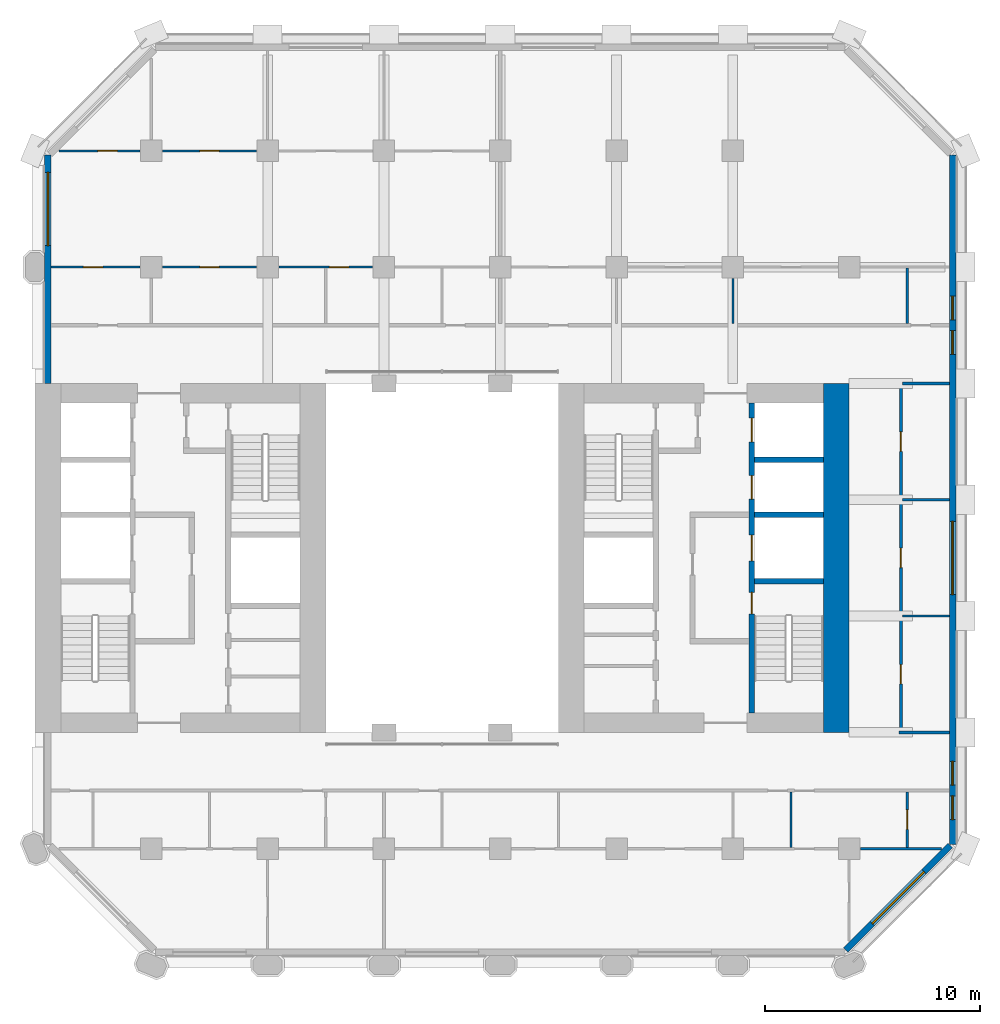
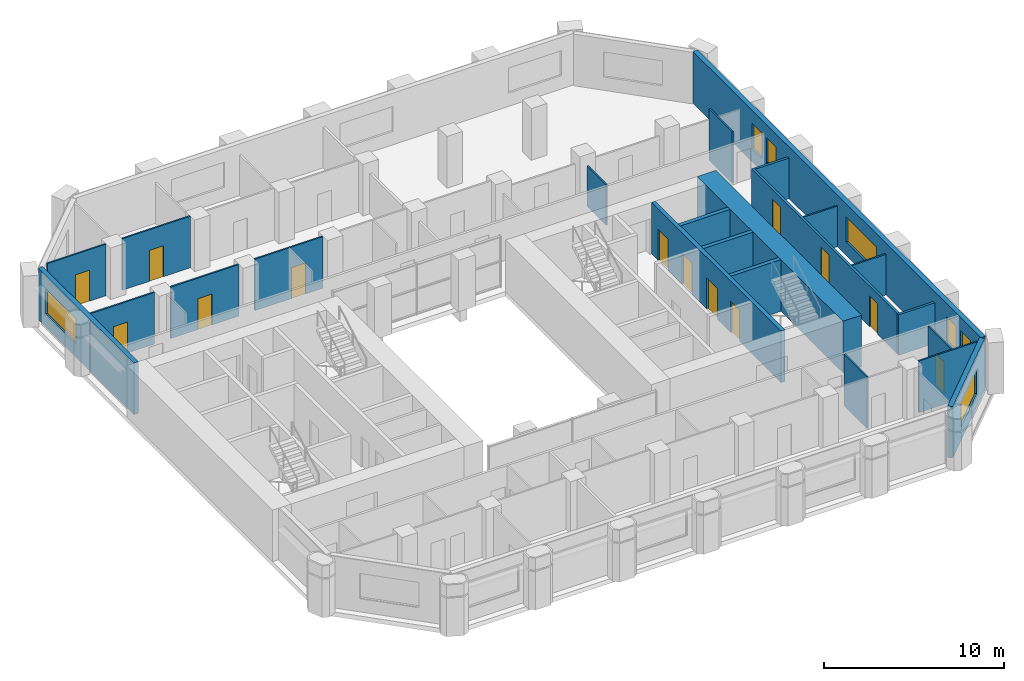
# One storey, part 6 of 10: 23 walls, 13 doors, 7 windows, 20 openings.
"""IFC4 building model written with IfcOpenShell, lengths in metres."""

from ifc_helpers import new_model, si_unit, direction, frame, frame_2d, origin, place, context, subcontext, project, spatial, rectangle, extrude, material, layer, layer_set, type_object, element, fill, save


model = new_model("IFC4")

# Units and contexts
model_context = context("Model", 3, precision=1e-05, world=origin(), true_north=direction((0.0, 1.0)))
body_context = subcontext(model_context, "Body", "Model", "MODEL_VIEW")
ifc_project = project(units=[si_unit("LENGTHUNIT", "METRE"), si_unit("AREAUNIT", "SQUARE_METRE"), si_unit("VOLUMEUNIT", "CUBIC_METRE"), si_unit("PLANEANGLEUNIT", "RADIAN"), si_unit("MASSUNIT", "GRAM", prefix="KILO")], contexts=[model_context])

# Site, building, storey
site_placement = place(None, origin())
site = spatial("IfcSite", under=ifc_project, at=site_placement, CompositionType="ELEMENT")
building_placement = place(site_placement, origin())
building = spatial("IfcBuilding", under=site, at=building_placement, Name="Tabaq Tower and Sports Hall", CompositionType="ELEMENT")
storey_placement = place(building_placement, frame((0.0, 0.0, 87.800048828125)))
storey = spatial("IfcBuildingStorey", under=building, at=storey_placement, Name="L20", CompositionType="ELEMENT", Elevation=87.800048828125)

# Wall
ifc_material_1 = material(Name="Concrete C60/75", Category="concrete")
ifc_layer_1 = layer(ifc_material_1, 1.199951171875)
ifc_layer_set_1 = layer_set([ifc_layer_1], Name="Core wall 1200 Concrete C60/75")
wall_type_1 = type_object("IfcWallType", Name="Core wall 1200 Concrete C60/75", PredefinedType="SOLIDWALL", material=ifc_layer_set_1)
wall_1_placement = place(storey_placement, frame((42.60009765625, 32.39990234375, 0.0), z_axis=(0.0, 0.0, 1.0), x_axis=(0.0, -1.0, 0.0)))
element("IfcWall", 1, at=wall_1_placement, inside=storey, type_object=wall_type_1, Name="Core wall E L20", PredefinedType="SOLIDWALL", context=body_context, shape_type="SweptSolid", body=[
    extrude(rectangle(XDim=16.199951171875, YDim=1.199951171875, at=frame_2d((8.10009765625, 0.0))), origin(), (0.0, 0.0, 1.0), 3.5),
])

# Wall, opening, door
ifc_material_2 = material(Name="Gypsum board on steel studs", Category="steel")
ifc_layer_2 = layer(ifc_material_2, 0.10009765625)
ifc_layer_set_2 = layer_set([ifc_layer_2], Name="Partition 100 Gypsum board")
wall_type_2 = type_object("IfcWallType", Name="Partition 100 Gypsum board", PredefinedType="PARTITIONING", material=ifc_layer_set_2)
wall_2_placement = place(storey_placement, frame((10.280029296875, 37.800048828125, 0.0), z_axis=(0.0, 0.0, 1.0), x_axis=(-1.0, 0.0, 0.0)))
wall_2 = element("IfcWall", 2, at=wall_2_placement, inside=storey, type_object=wall_type_2, Name="Partition wall L20", PredefinedType="PARTITIONING", context=body_context, shape_type="SweptSolid", body=[
    extrude(rectangle(XDim=4.129150390625, YDim=0.10009765625, at=frame_2d((2.064453125, 0.0))), origin(), (0.0, 0.0, 1.0), 3.5),
])
opening_1_placement = place(wall_2_placement, frame((1.72998046875, 0.0, 0.0)))
opening_1 = element("IfcOpeningElement", 3, at=opening_1_placement, cuts=wall_2, Name="Opening L20-026", PredefinedType="OPENING", context=body_context, shape_type="SweptSolid", body=[
    extrude(rectangle(XDim=0.89990234375, YDim=2.10009765625, at=frame_2d((0.449951171875, 1.050048828125))), frame((0.0, 0.050048828125, 0.0), z_axis=(0.0, -1.0, 0.0), x_axis=(1.0, 0.0, 0.0)), (0.0, 0.0, 1.0), 0.10009765625),
])
ifc_material_3 = material(Name="Timber leaf in steel frame", Category="steel")
door_type_1 = type_object("IfcDoorType", Name="Internal door 900 left hand", OperationType="SINGLE_SWING_LEFT", PredefinedType="DOOR", material=ifc_material_3)
door_1_placement = place(opening_1_placement, origin())
door_1 = element("IfcDoor", 4, at=door_1_placement, inside=storey, type_object=door_type_1, Name="Internal door L20-026", OperationType="SINGLE_SWING_LEFT", OverallHeight=2.10009765625, OverallWidth=0.89990234375, PredefinedType="DOOR", context=body_context, shape_type="SweptSolid", body=[
    extrude(rectangle(XDim=0.89990234375, YDim=2.10009765625, at=frame_2d((0.449951171875, 1.050048828125))), frame((0.0, 0.02490234375, 0.0), z_axis=(0.0, -1.0, 0.0), x_axis=(1.0, 0.0, 0.0)), (0.0, 0.0, 1.0), 0.050048828125),
])
fill(opening_1, door_1)

wall_3_placement = place(storey_placement, frame((15.679931640625, 37.800048828125, 0.0), z_axis=(0.0, 0.0, 1.0), x_axis=(-1.0, 0.0, 0.0)))
wall_3 = element("IfcWall", 5, at=wall_3_placement, inside=storey, type_object=wall_type_2, Name="Partition wall L20", PredefinedType="PARTITIONING", context=body_context, shape_type="SweptSolid", body=[
    extrude(rectangle(XDim=4.35986328125, YDim=0.10009765625, at=frame_2d((2.179931640625, 0.0))), origin(), (0.0, 0.0, 1.0), 3.5),
])
opening_2_placement = place(wall_3_placement, frame((1.72998046875, 0.0, 0.0)))
opening_2 = element("IfcOpeningElement", 6, at=opening_2_placement, cuts=wall_3, Name="Opening L20-009", PredefinedType="OPENING", context=body_context, shape_type="SweptSolid", body=[
    extrude(rectangle(XDim=0.89990234375, YDim=2.10009765625, at=frame_2d((0.449951171875, 1.050048828125))), frame((0.0, 0.050048828125, 0.0), z_axis=(0.0, -1.0, 0.0), x_axis=(1.0, 0.0, 0.0)), (0.0, 0.0, 1.0), 0.10009765625),
])
ifc_material_4 = material(Name="Timber leaf in steel frame", Category="steel")
door_type_2 = type_object("IfcDoorType", Name="Internal door 900 right hand", OperationType="SINGLE_SWING_RIGHT", PredefinedType="DOOR", material=ifc_material_4)
door_2_placement = place(opening_2_placement, origin())
door_2 = element("IfcDoor", 7, at=door_2_placement, inside=storey, type_object=door_type_2, Name="Internal door L20-009", OperationType="SINGLE_SWING_RIGHT", OverallHeight=2.10009765625, OverallWidth=0.89990234375, PredefinedType="DOOR", context=body_context, shape_type="SweptSolid", body=[
    extrude(rectangle(XDim=0.89990234375, YDim=2.10009765625, at=frame_2d((0.449951171875, 1.050048828125))), frame((0.0, 0.02490234375, 0.0), z_axis=(0.0, -1.0, 0.0), x_axis=(1.0, 0.0, 0.0)), (0.0, 0.0, 1.0), 0.050048828125),
])
fill(opening_2, door_2)

wall_4_placement = place(storey_placement, frame((21.080078125, 37.800048828125, 0.0), z_axis=(0.0, 0.0, 1.0), x_axis=(-1.0, 0.0, 0.0)))
wall_4 = element("IfcWall", 8, at=wall_4_placement, inside=storey, type_object=wall_type_2, Name="Partition wall L20", PredefinedType="PARTITIONING", context=body_context, shape_type="SweptSolid", body=[
    extrude(rectangle(XDim=4.360107421875, YDim=0.10009765625, at=frame_2d((2.18017578125, 0.0))), origin(), (0.0, 0.0, 1.0), 3.5),
])
opening_3_placement = place(wall_4_placement, frame((1.110107421875, 0.0, 0.0)))
opening_3 = element("IfcOpeningElement", 9, at=opening_3_placement, cuts=wall_4, Name="Opening L20-010", PredefinedType="OPENING", context=body_context, shape_type="SweptSolid", body=[
    extrude(rectangle(XDim=0.89990234375, YDim=2.10009765625, at=frame_2d((0.449951171875, 1.050048828125))), frame((0.0, 0.050048828125, 0.0), z_axis=(0.0, -1.0, 0.0), x_axis=(1.0, 0.0, 0.0)), (0.0, 0.0, 1.0), 0.10009765625),
])
door_3_placement = place(opening_3_placement, origin())
door_3 = element("IfcDoor", 10, at=door_3_placement, inside=storey, type_object=door_type_2, Name="Internal door L20-010", OperationType="SINGLE_SWING_RIGHT", OverallHeight=2.10009765625, OverallWidth=0.89990234375, PredefinedType="DOOR", context=body_context, shape_type="SweptSolid", body=[
    extrude(rectangle(XDim=0.89990234375, YDim=2.10009765625, at=frame_2d((0.449951171875, 1.050048828125))), frame((0.0, 0.02490234375, 0.0), z_axis=(0.0, -1.0, 0.0), x_axis=(1.0, 0.0, 0.0)), (0.0, 0.0, 1.0), 0.050048828125),
])
fill(opening_3, door_3)

wall_5_placement = place(storey_placement, frame((15.679931640625, 43.199951171875, 0.0), z_axis=(0.0, 0.0, 1.0), x_axis=(-1.0, 0.0, 0.0)))
wall_5 = element("IfcWall", 11, at=wall_5_placement, inside=storey, type_object=wall_type_2, Name="Partition wall L20", PredefinedType="PARTITIONING", context=body_context, shape_type="SweptSolid", body=[
    extrude(rectangle(XDim=4.35986328125, YDim=0.10009765625, at=frame_2d((2.179931640625, 0.0))), origin(), (0.0, 0.0, 1.0), 3.5),
])
opening_4_placement = place(wall_5_placement, frame((1.72998046875, 0.0, 0.0)))
opening_4 = element("IfcOpeningElement", 12, at=opening_4_placement, cuts=wall_5, Name="Opening L20-012", PredefinedType="OPENING", context=body_context, shape_type="SweptSolid", body=[
    extrude(rectangle(XDim=0.89990234375, YDim=2.10009765625, at=frame_2d((0.449951171875, 1.050048828125))), frame((0.0, 0.050048828125, 0.0), z_axis=(0.0, -1.0, 0.0), x_axis=(1.0, 0.0, 0.0)), (0.0, 0.0, 1.0), 0.10009765625),
])
door_4_placement = place(opening_4_placement, origin())
door_4 = element("IfcDoor", 13, at=door_4_placement, inside=storey, type_object=door_type_2, Name="Internal door L20-012", OperationType="SINGLE_SWING_RIGHT", OverallHeight=2.10009765625, OverallWidth=0.89990234375, PredefinedType="DOOR", context=body_context, shape_type="SweptSolid", body=[
    extrude(rectangle(XDim=0.89990234375, YDim=2.10009765625, at=frame_2d((0.449951171875, 1.050048828125))), frame((0.0, 0.02490234375, 0.0), z_axis=(0.0, -1.0, 0.0), x_axis=(1.0, 0.0, 0.0)), (0.0, 0.0, 1.0), 0.050048828125),
])
fill(opening_4, door_4)

wall_6_placement = place(storey_placement, frame((10.280029296875, 43.199951171875, 0.0), z_axis=(0.0, 0.0, 1.0), x_axis=(-1.0, 0.0, 0.0)))
wall_6 = element("IfcWall", 14, at=wall_6_placement, inside=storey, type_object=wall_type_2, Name="Partition wall L20", PredefinedType="PARTITIONING", context=body_context, shape_type="SweptSolid", body=[
    extrude(rectangle(XDim=3.767822265625, YDim=0.10009765625, at=frame_2d((1.8837890625, 0.0))), origin(), (0.0, 0.0, 1.0), 3.5),
])
opening_5_placement = place(wall_6_placement, frame((1.054931640625, 0.0, 0.0)))
opening_5 = element("IfcOpeningElement", 15, at=opening_5_placement, cuts=wall_6, Name="Opening L20-011", PredefinedType="OPENING", context=body_context, shape_type="SweptSolid", body=[
    extrude(rectangle(XDim=0.89990234375, YDim=2.10009765625, at=frame_2d((0.449951171875, 1.050048828125))), frame((0.0, 0.050048828125, 0.0), z_axis=(0.0, -1.0, 0.0), x_axis=(1.0, 0.0, 0.0)), (0.0, 0.0, 1.0), 0.10009765625),
])
door_5_placement = place(opening_5_placement, origin())
door_5 = element("IfcDoor", 16, at=door_5_placement, inside=storey, type_object=door_type_2, Name="Internal door L20-011", OperationType="SINGLE_SWING_RIGHT", OverallHeight=2.10009765625, OverallWidth=0.89990234375, PredefinedType="DOOR", context=body_context, shape_type="SweptSolid", body=[
    extrude(rectangle(XDim=0.89990234375, YDim=2.10009765625, at=frame_2d((0.449951171875, 1.050048828125))), frame((0.0, 0.02490234375, 0.0), z_axis=(0.0, -1.0, 0.0), x_axis=(1.0, 0.0, 0.0)), (0.0, 0.0, 1.0), 0.050048828125),
])
fill(opening_5, door_5)

# Walls
wall_7_placement = place(storey_placement, frame((37.800048828125, 35.175048828125, 0.0), z_axis=(0.0, 0.0, 1.0), x_axis=(0.0, 1.0, 0.0)))
element("IfcWall", 17, at=wall_7_placement, inside=storey, type_object=wall_type_2, Name="Partition wall L20", PredefinedType="PARTITIONING", context=body_context, shape_type="SweptSolid", body=[
    extrude(rectangle(XDim=2.10498046875, YDim=0.10009765625, at=frame_2d((1.052490234375, 0.0))), origin(), (0.0, 0.0, 1.0), 2.75),
])
for number, where, z_axis, x_axis, name in (
    (18, (45.89990234375, 35.175048828125, 0.0), (0.0, 0.0, 1.0), (0.0, 1.0, 0.0), "Partition wall L20"),
    (19, (40.5, 10.85009765625, 0.0), (0.0, 0.0, 1.0), (0.0, 1.0, 0.0), "Partition wall L20"),
):
    element("IfcWall", number, at=place(storey_placement, frame(where, z_axis=z_axis, x_axis=x_axis)), inside=storey, type_object=wall_type_2, Name=name, PredefinedType="PARTITIONING", context=body_context, shape_type="SweptSolid", body=[
        extrude(rectangle(XDim=2.574951171875, YDim=0.10009765625, at=frame_2d((1.28759765625, 0.0))), origin(), (0.0, 0.0, 1.0), 3.5),
    ])

# Wall, opening, door
wall_8_placement = place(storey_placement, frame((45.89990234375, 10.85009765625, 0.0), z_axis=(0.0, 0.0, 1.0), x_axis=(0.0, 1.0, 0.0)))
wall_8 = element("IfcWall", 20, at=wall_8_placement, inside=storey, type_object=wall_type_2, Name="Partition wall L20", PredefinedType="PARTITIONING", context=body_context, shape_type="SweptSolid", body=[
    extrude(rectangle(XDim=2.574951171875, YDim=0.10009765625, at=frame_2d((1.28759765625, 0.0))), origin(), (0.0, 0.0, 1.0), 3.5),
])
opening_6_placement = place(wall_8_placement, frame((0.85009765625, 0.0, 0.0)))
opening_6 = element("IfcOpeningElement", 21, at=opening_6_placement, cuts=wall_8, Name="Opening L20-022", PredefinedType="OPENING", context=body_context, shape_type="SweptSolid", body=[
    extrude(rectangle(XDim=0.89990234375, YDim=2.10009765625, at=frame_2d((0.449951171875, 1.050048828125))), frame((0.0, 0.050048828125, 0.0), z_axis=(0.0, -1.0, 0.0), x_axis=(1.0, 0.0, 0.0)), (0.0, 0.0, 1.0), 0.10009765625),
])
door_6_placement = place(opening_6_placement, origin())
door_6 = element("IfcDoor", 22, at=door_6_placement, inside=storey, type_object=door_type_1, Name="Internal door L20-022", OperationType="SINGLE_SWING_LEFT", OverallHeight=2.10009765625, OverallWidth=0.89990234375, PredefinedType="DOOR", context=body_context, shape_type="SweptSolid", body=[
    extrude(rectangle(XDim=0.89990234375, YDim=2.10009765625, at=frame_2d((0.449951171875, 1.050048828125))), frame((0.0, 0.02490234375, 0.0), z_axis=(0.0, -1.0, 0.0), x_axis=(1.0, 0.0, 0.0)), (0.0, 0.0, 1.0), 0.050048828125),
])
fill(opening_6, door_6)

# Walls
wall_9_placement = place(storey_placement, frame((43.719970703125, 10.800048828125, 0.0), z_axis=(0.0, 0.0, 1.0), x_axis=(1.0, 0.0, 0.0)))
element("IfcWall", 23, at=wall_9_placement, inside=storey, type_object=wall_type_2, Name="Partition wall L20", PredefinedType="PARTITIONING", context=body_context, shape_type="SweptSolid", body=[
    extrude(rectangle(XDim=3.767822265625, YDim=0.10009765625, at=frame_2d((1.8837890625, 0.0))), origin(), (0.0, 0.0, 1.0), 3.5),
])
for number, where, z_axis, x_axis, name in (
    (24, (47.84912109375, 21.60009765625, 0.0), (0.0, 0.0, 1.0), (-1.0, 0.0, 0.0), "Partition wall L20"),
    (25, (47.84912109375, 27.0, 0.0), (0.0, 0.0, 1.0), (-1.0, 0.0, 0.0), "Partition wall L20"),
):
    element("IfcWall", number, at=place(storey_placement, frame(where, z_axis=z_axis, x_axis=x_axis)), inside=storey, type_object=wall_type_2, Name=name, PredefinedType="PARTITIONING", context=body_context, shape_type="SweptSolid", body=[
        extrude(rectangle(XDim=2.174072265625, YDim=0.10009765625, at=frame_2d((1.0869140625, 0.0))), origin(), (0.0, 0.0, 1.0), 2.75),
    ])
ifc_material_5 = material(Name="Blockwork", Category="masonry")
ifc_layer_3 = layer(ifc_material_5, 0.14990234375)
ifc_layer_set_3 = layer_set([ifc_layer_3], Name="Separating wall 150 Blockwork")
wall_type_3 = type_object("IfcWallType", Name="Separating wall 150 Blockwork", PredefinedType="PARTITIONING", material=ifc_layer_set_3)
wall_10_placement = place(storey_placement, frame((47.84912109375, 16.199951171875, 0.0), z_axis=(0.0, 0.0, 1.0), x_axis=(-1.0, 0.0, 0.0)))
element("IfcWall", 26, at=wall_10_placement, inside=storey, type_object=wall_type_3, Name="Separating wall L20", PredefinedType="PARTITIONING", context=body_context, shape_type="SweptSolid", body=[
    extrude(rectangle(XDim=2.32421875, YDim=0.14990234375, at=frame_2d((1.162109375, 0.0))), origin(), (0.0, 0.0, 1.0), 2.75),
])

# Wall, openings, doors
wall_11_placement = place(storey_placement, frame((45.60009765625, 16.27490234375, 0.0), z_axis=(0.0, 0.0, 1.0), x_axis=(0.0, 1.0, 0.0)))
wall_11 = element("IfcWall", 27, at=wall_11_placement, inside=storey, type_object=wall_type_3, Name="Separating wall L20", PredefinedType="PARTITIONING", context=body_context, shape_type="SweptSolid", body=[
    extrude(rectangle(XDim=16.2001953125, YDim=0.14990234375, at=frame_2d((8.10009765625, 0.0))), origin(), (0.0, 0.0, 1.0), 2.75),
])
opening_7_placement = place(wall_11_placement, frame((2.175048828125, 0.0, 0.0)))
opening_7 = element("IfcOpeningElement", 28, at=opening_7_placement, cuts=wall_11, Name="Opening L20-006", PredefinedType="OPENING", context=body_context, shape_type="SweptSolid", body=[
    extrude(rectangle(XDim=0.89990234375, YDim=2.10009765625, at=frame_2d((0.449951171875, 1.050048828125))), frame((0.0, 0.074951171875, 0.0), z_axis=(0.0, -1.0, 0.0), x_axis=(1.0, 0.0, 0.0)), (0.0, 0.0, 1.0), 0.14990234375),
])
opening_8_placement = place(wall_11_placement, frame((7.574951171875, 0.0, 0.0)))
opening_8 = element("IfcOpeningElement", 29, at=opening_8_placement, cuts=wall_11, Name="Opening L20-007", PredefinedType="OPENING", context=body_context, shape_type="SweptSolid", body=[
    extrude(rectangle(XDim=0.89990234375, YDim=2.10009765625, at=frame_2d((0.449951171875, 1.050048828125))), frame((0.0, 0.074951171875, 0.0), z_axis=(0.0, -1.0, 0.0), x_axis=(1.0, 0.0, 0.0)), (0.0, 0.0, 1.0), 0.14990234375),
])
opening_9_placement = place(wall_11_placement, frame((12.97509765625, 0.0, 0.0)))
opening_9 = element("IfcOpeningElement", 30, at=opening_9_placement, cuts=wall_11, Name="Opening L20-008", PredefinedType="OPENING", context=body_context, shape_type="SweptSolid", body=[
    extrude(rectangle(XDim=0.89990234375, YDim=2.10009765625, at=frame_2d((0.449951171875, 1.050048828125))), frame((0.0, 0.074951171875, 0.0), z_axis=(0.0, -1.0, 0.0), x_axis=(1.0, 0.0, 0.0)), (0.0, 0.0, 1.0), 0.14990234375),
])
door_7_placement = place(opening_7_placement, origin())
door_7 = element("IfcDoor", 31, at=door_7_placement, inside=storey, type_object=door_type_1, Name="Internal door L20-006", OperationType="SINGLE_SWING_LEFT", OverallHeight=2.10009765625, OverallWidth=0.89990234375, PredefinedType="DOOR", context=body_context, shape_type="SweptSolid", body=[
    extrude(rectangle(XDim=0.89990234375, YDim=2.10009765625, at=frame_2d((0.449951171875, 1.050048828125))), frame((0.0, 0.02490234375, 0.0), z_axis=(0.0, -1.0, 0.0), x_axis=(1.0, 0.0, 0.0)), (0.0, 0.0, 1.0), 0.050048828125),
])
fill(opening_7, door_7)
door_8_placement = place(opening_8_placement, origin())
door_8 = element("IfcDoor", 32, at=door_8_placement, inside=storey, type_object=door_type_1, Name="Internal door L20-007", OperationType="SINGLE_SWING_LEFT", OverallHeight=2.10009765625, OverallWidth=0.89990234375, PredefinedType="DOOR", context=body_context, shape_type="SweptSolid", body=[
    extrude(rectangle(XDim=0.89990234375, YDim=2.10009765625, at=frame_2d((0.449951171875, 1.050048828125))), frame((0.0, 0.02490234375, 0.0), z_axis=(0.0, -1.0, 0.0), x_axis=(1.0, 0.0, 0.0)), (0.0, 0.0, 1.0), 0.050048828125),
])
fill(opening_8, door_8)
door_9_placement = place(opening_9_placement, origin())
door_9 = element("IfcDoor", 33, at=door_9_placement, inside=storey, type_object=door_type_1, Name="Internal door L20-008", OperationType="SINGLE_SWING_LEFT", OverallHeight=2.10009765625, OverallWidth=0.89990234375, PredefinedType="DOOR", context=body_context, shape_type="SweptSolid", body=[
    extrude(rectangle(XDim=0.89990234375, YDim=2.10009765625, at=frame_2d((0.449951171875, 1.050048828125))), frame((0.0, 0.02490234375, 0.0), z_axis=(0.0, -1.0, 0.0), x_axis=(1.0, 0.0, 0.0)), (0.0, 0.0, 1.0), 0.050048828125),
])
fill(opening_9, door_9)

# Wall
wall_12_placement = place(storey_placement, frame((45.675048828125, 32.39990234375, 0.0), z_axis=(0.0, 0.0, 1.0), x_axis=(1.0, 0.0, 0.0)))
element("IfcWall", 34, at=wall_12_placement, inside=storey, type_object=wall_type_3, Name="Separating wall L20", PredefinedType="PARTITIONING", context=body_context, shape_type="SweptSolid", body=[
    extrude(rectangle(XDim=2.174072265625, YDim=0.14990234375, at=frame_2d((1.0869140625, 0.0))), origin(), (0.0, 0.0, 1.0), 2.75),
])

# Wall, openings, doors
ifc_material_6 = material(Name="Concrete C40/50", Category="concrete")
ifc_layer_4 = layer(ifc_material_6, 0.25)
ifc_layer_set_4 = layer_set([ifc_layer_4], Name="Shaft and stair wall 250 Concrete C40/50")
wall_type_4 = type_object("IfcWallType", Name="Shaft and stair wall 250 Concrete C40/50", PredefinedType="SOLIDWALL", material=ifc_layer_set_4)
wall_13_placement = place(storey_placement, frame((38.675048828125, 17.10009765625, 0.0), z_axis=(0.0, 0.0, 1.0), x_axis=(0.0, 1.0, 0.0)))
wall_13 = element("IfcWall", 35, at=wall_13_placement, inside=storey, type_object=wall_type_4, Name="Shaft wall E L20", PredefinedType="SOLIDWALL", context=body_context, shape_type="SweptSolid", body=[
    extrude(rectangle(XDim=14.39990234375, YDim=0.25, at=frame_2d((7.199951171875, 0.0))), origin(), (0.0, 0.0, 1.0), 3.5),
])
opening_10_placement = place(wall_13_placement, frame((4.60009765625, 0.0, 0.0)))
opening_10 = element("IfcOpeningElement", 36, at=opening_10_placement, cuts=wall_13, Name="Opening SD-EL20-03", PredefinedType="OPENING", context=body_context, shape_type="SweptSolid", body=[
    extrude(rectangle(XDim=1.0, YDim=2.10009765625, at=frame_2d((0.5, 1.050048828125))), frame((0.0, 0.125, 0.0), z_axis=(0.0, -1.0, 0.0), x_axis=(1.0, 0.0, 0.0)), (0.0, 0.0, 1.0), 0.25),
])
opening_11_placement = place(wall_13_placement, frame((7.0625, 0.0, 0.0)))
opening_11 = element("IfcOpeningElement", 37, at=opening_11_placement, cuts=wall_13, Name="Opening LD-FF2-L20", PredefinedType="OPENING", context=body_context, shape_type="SweptSolid", body=[
    extrude(rectangle(XDim=1.199951171875, YDim=2.10009765625, at=frame_2d((0.60009765625, 1.050048828125))), frame((0.0, 0.125, 0.0), z_axis=(0.0, -1.0, 0.0), x_axis=(1.0, 0.0, 0.0)), (0.0, 0.0, 1.0), 0.25),
])
opening_12_placement = place(wall_13_placement, frame((9.925048828125, 0.0, 0.0)))
opening_12 = element("IfcOpeningElement", 38, at=opening_12_placement, cuts=wall_13, Name="Opening LD-LR3-L20", PredefinedType="OPENING", context=body_context, shape_type="SweptSolid", body=[
    extrude(rectangle(XDim=1.10009765625, YDim=2.10009765625, at=frame_2d((0.550048828125, 1.050048828125))), frame((0.0, 0.125, 0.0), z_axis=(0.0, -1.0, 0.0), x_axis=(1.0, 0.0, 0.0)), (0.0, 0.0, 1.0), 0.25),
])
opening_13_placement = place(wall_13_placement, frame((12.58740234375, 0.0, 0.0)))
opening_13 = element("IfcOpeningElement", 39, at=opening_13_placement, cuts=wall_13, Name="Opening LD-LR4-L20", PredefinedType="OPENING", context=body_context, shape_type="SweptSolid", body=[
    extrude(rectangle(XDim=1.10009765625, YDim=2.10009765625, at=frame_2d((0.550048828125, 1.050048828125))), frame((0.0, 0.125, 0.0), z_axis=(0.0, -1.0, 0.0), x_axis=(1.0, 0.0, 0.0)), (0.0, 0.0, 1.0), 0.25),
])
ifc_material_7 = material(Name="Stainless steel", Category="steel")
door_type_3 = type_object("IfcDoorType", Name="Lift landing door 1100", OperationType="DOUBLE_DOOR_SLIDING", PredefinedType="DOOR", material=ifc_material_7)
door_10_placement = place(opening_12_placement, origin())
door_10 = element("IfcDoor", 40, at=door_10_placement, inside=storey, type_object=door_type_3, Name="Lift landing door LR3 E L20", OperationType="DOUBLE_DOOR_SLIDING", OverallHeight=2.10009765625, OverallWidth=1.10009765625, PredefinedType="DOOR", context=body_context, shape_type="SweptSolid", body=[
    extrude(rectangle(XDim=1.10009765625, YDim=2.10009765625, at=frame_2d((0.550048828125, 1.050048828125))), frame((0.0, 0.02490234375, 0.0), z_axis=(0.0, -1.0, 0.0), x_axis=(1.0, 0.0, 0.0)), (0.0, 0.0, 1.0), 0.050048828125),
])
fill(opening_12, door_10)
door_11_placement = place(opening_13_placement, origin())
door_11 = element("IfcDoor", 41, at=door_11_placement, inside=storey, type_object=door_type_3, Name="Lift landing door LR4 E L20", OperationType="DOUBLE_DOOR_SLIDING", OverallHeight=2.10009765625, OverallWidth=1.10009765625, PredefinedType="DOOR", context=body_context, shape_type="SweptSolid", body=[
    extrude(rectangle(XDim=1.10009765625, YDim=2.10009765625, at=frame_2d((0.550048828125, 1.050048828125))), frame((0.0, 0.02490234375, 0.0), z_axis=(0.0, -1.0, 0.0), x_axis=(1.0, 0.0, 0.0)), (0.0, 0.0, 1.0), 0.050048828125),
])
fill(opening_13, door_11)
ifc_material_8 = material(Name="Stainless steel", Category="steel")
door_type_4 = type_object("IfcDoorType", Name="Lift landing door 1200", OperationType="DOUBLE_DOOR_SLIDING", PredefinedType="DOOR", material=ifc_material_8)
door_12_placement = place(opening_11_placement, origin())
door_12 = element("IfcDoor", 42, at=door_12_placement, inside=storey, type_object=door_type_4, Name="Lift landing door FF2 E L20", OperationType="DOUBLE_DOOR_SLIDING", OverallHeight=2.10009765625, OverallWidth=1.199951171875, PredefinedType="DOOR", context=body_context, shape_type="SweptSolid", body=[
    extrude(rectangle(XDim=1.199951171875, YDim=2.10009765625, at=frame_2d((0.60009765625, 1.050048828125))), frame((0.0, 0.02490234375, 0.0), z_axis=(0.0, -1.0, 0.0), x_axis=(1.0, 0.0, 0.0)), (0.0, 0.0, 1.0), 0.050048828125),
])
fill(opening_11, door_12)
ifc_material_9 = material(Name="Steel fire door", Category="steel")
door_type_5 = type_object("IfcDoorType", Name="Stair door 1000", OperationType="SINGLE_SWING_LEFT", PredefinedType="DOOR", material=ifc_material_9)
door_13_placement = place(opening_10_placement, origin())
door_13 = element("IfcDoor", 43, at=door_13_placement, inside=storey, type_object=door_type_5, Name="Stair door ST3 E L20", OperationType="SINGLE_SWING_LEFT", OverallHeight=2.10009765625, OverallWidth=1.0, PredefinedType="DOOR", context=body_context, shape_type="SweptSolid", body=[
    extrude(rectangle(XDim=1.0, YDim=2.10009765625, at=frame_2d((0.5, 1.050048828125))), frame((0.0, 0.02490234375, 0.0), z_axis=(0.0, -1.0, 0.0), x_axis=(1.0, 0.0, 0.0)), (0.0, 0.0, 1.0), 0.050048828125),
])
fill(opening_10, door_13)

# Walls
for number, where, z_axis, x_axis, name in (
    (44, (38.800048828125, 23.22509765625, 0.0), (0.0, 0.0, 1.0), (1.0, 0.0, 0.0), "Stair enclosure wall E L20"),
    (45, (38.800048828125, 26.300048828125, 0.0), (0.0, 0.0, 1.0), (1.0, 0.0, 0.0), "Shaft wall E L20"),
    (46, (38.800048828125, 28.85009765625, 0.0), (0.0, 0.0, 1.0), (1.0, 0.0, 0.0), "Shaft wall E L20"),
):
    element("IfcWall", number, at=place(storey_placement, frame(where, z_axis=z_axis, x_axis=x_axis)), inside=storey, type_object=wall_type_4, Name=name, PredefinedType="SOLIDWALL", context=body_context, shape_type="SweptSolid", body=[
        extrude(rectangle(XDim=3.199951171875, YDim=0.25, at=frame_2d((1.60009765625, 0.0))), origin(), (0.0, 0.0, 1.0), 3.5),
    ])

# Wall, opening, window
ifc_material_10 = material(Name="White precast concrete C60/75", Category="concrete")
ifc_layer_5 = layer(ifc_material_10, 0.300048828125)
ifc_layer_set_5 = layer_set([ifc_layer_5], Name="White precast concrete C60/75 external wall 300")
wall_type_5 = type_object("IfcWallType", Name="White precast concrete C60/75 external wall 300", PredefinedType="SOLIDWALL", material=ifc_layer_set_5)
wall_14_placement = place(storey_placement, frame((43.050537109375, 6.098876953125, 0.0), z_axis=(0.0, 0.0, 1.0), x_axis=(0.707106781187, 0.707106781187, 0.0)))
wall_14 = element("IfcWall", 47, at=wall_14_placement, inside=storey, type_object=wall_type_5, Name="External Wall L20 SE", PredefinedType="SOLIDWALL", context=body_context, shape_type="SweptSolid", body=[
    extrude(rectangle(XDim=6.85986328125, YDim=0.300048828125, at=frame_2d((3.429931640625, 0.0))), origin(), (0.0, 0.0, 1.0), 3.5),
])
opening_14_placement = place(wall_14_placement, frame((1.729736328125, 0.0, 0.89990234375)))
opening_14 = element("IfcOpeningElement", 48, at=opening_14_placement, cuts=wall_14, Name="Opening W1A", PredefinedType="OPENING", context=body_context, shape_type="SweptSolid", body=[
    extrude(rectangle(XDim=3.39990234375, YDim=1.699951171875, at=frame_2d((1.699951171875, 0.85009765625))), frame((0.0, 0.16015625, 0.0), z_axis=(0.0, -1.0, 0.0), x_axis=(1.0, 0.0, 0.0)), (0.0, 0.0, 1.0), 0.320068359375),
])
ifc_material_11 = material(Name="Aluminium framed clear glazing", Category="aluminium")
window_type_1 = type_object("IfcWindowType", Name="Window W1A", PartitioningType="SINGLE_PANEL", PredefinedType="WINDOW", material=ifc_material_11)
window_1_placement = place(opening_14_placement, origin())
window_1 = element("IfcWindow", 49, at=window_1_placement, inside=storey, type_object=window_type_1, Name="Window W1A L20", OverallHeight=1.699951171875, OverallWidth=3.39990234375, PartitioningType="SINGLE_PANEL", PredefinedType="WINDOW", context=body_context, shape_type="SweptSolid", body=[
    extrude(rectangle(XDim=3.39990234375, YDim=1.699951171875, at=frame_2d((1.699951171875, 0.85009765625))), frame((0.0, 0.030029296875, 0.0), z_axis=(0.0, -1.0, 0.0), x_axis=(1.0, 0.0, 0.0)), (0.0, 0.0, 1.0), 0.06005859375),
])
fill(opening_14, window_1)

# Wall, openings, windows
wall_15_placement = place(storey_placement, frame((48.0, 10.986328125, 0.0), z_axis=(0.0, 0.0, 1.0), x_axis=(0.0, 1.0, 0.0)))
wall_15 = element("IfcWall", 50, at=wall_15_placement, inside=storey, type_object=wall_type_5, Name="External Wall L20 E", PredefinedType="SOLIDWALL", context=body_context, shape_type="SweptSolid", body=[
    extrude(rectangle(XDim=32.02734375, YDim=0.300048828125, at=frame_2d((16.013671875, 0.0))), origin(), (0.0, 0.0, 1.0), 3.5),
])
opening_15_placement = place(wall_15_placement, frame((1.16357421875, 0.0, 0.89990234375)))
opening_15 = element("IfcOpeningElement", 51, at=opening_15_placement, cuts=wall_15, Name="Opening W1B", PredefinedType="OPENING", context=body_context, shape_type="SweptSolid", body=[
    extrude(rectangle(XDim=1.10009765625, YDim=1.699951171875, at=frame_2d((0.550048828125, 0.85009765625))), frame((0.0, 0.16015625, 0.0), z_axis=(0.0, -1.0, 0.0), x_axis=(1.0, 0.0, 0.0)), (0.0, 0.0, 1.0), 0.320068359375),
])
opening_16_placement = place(wall_15_placement, frame((2.763671875, 0.0, 0.89990234375)))
opening_16 = element("IfcOpeningElement", 52, at=opening_16_placement, cuts=wall_15, Name="Opening W1B", PredefinedType="OPENING", context=body_context, shape_type="SweptSolid", body=[
    extrude(rectangle(XDim=1.10009765625, YDim=1.699951171875, at=frame_2d((0.550048828125, 0.85009765625))), frame((0.0, 0.16015625, 0.0), z_axis=(0.0, -1.0, 0.0), x_axis=(1.0, 0.0, 0.0)), (0.0, 0.0, 1.0), 0.320068359375),
])
opening_17_placement = place(wall_15_placement, frame((11.613525390625, 0.0, 0.89990234375)))
opening_17 = element("IfcOpeningElement", 53, at=opening_17_placement, cuts=wall_15, Name="Opening W1A", PredefinedType="OPENING", context=body_context, shape_type="SweptSolid", body=[
    extrude(rectangle(XDim=3.39990234375, YDim=1.699951171875, at=frame_2d((1.699951171875, 0.85009765625))), frame((0.0, 0.16015625, 0.0), z_axis=(0.0, -1.0, 0.0), x_axis=(1.0, 0.0, 0.0)), (0.0, 0.0, 1.0), 0.320068359375),
])
opening_18_placement = place(wall_15_placement, frame((22.763671875, 0.0, 0.89990234375)))
opening_18 = element("IfcOpeningElement", 54, at=opening_18_placement, cuts=wall_15, Name="Opening W1B", PredefinedType="OPENING", context=body_context, shape_type="SweptSolid", body=[
    extrude(rectangle(XDim=1.10009765625, YDim=1.699951171875, at=frame_2d((0.550048828125, 0.85009765625))), frame((0.0, 0.16015625, 0.0), z_axis=(0.0, -1.0, 0.0), x_axis=(1.0, 0.0, 0.0)), (0.0, 0.0, 1.0), 0.320068359375),
])
opening_19_placement = place(wall_15_placement, frame((24.363525390625, 0.0, 0.89990234375)))
opening_19 = element("IfcOpeningElement", 55, at=opening_19_placement, cuts=wall_15, Name="Opening W1B", PredefinedType="OPENING", context=body_context, shape_type="SweptSolid", body=[
    extrude(rectangle(XDim=1.10009765625, YDim=1.699951171875, at=frame_2d((0.550048828125, 0.85009765625))), frame((0.0, 0.16015625, 0.0), z_axis=(0.0, -1.0, 0.0), x_axis=(1.0, 0.0, 0.0)), (0.0, 0.0, 1.0), 0.320068359375),
])
window_2_placement = place(opening_17_placement, origin())
window_2 = element("IfcWindow", 56, at=window_2_placement, inside=storey, type_object=window_type_1, Name="Window W1A L20", OverallHeight=1.699951171875, OverallWidth=3.39990234375, PartitioningType="SINGLE_PANEL", PredefinedType="WINDOW", context=body_context, shape_type="SweptSolid", body=[
    extrude(rectangle(XDim=3.39990234375, YDim=1.699951171875, at=frame_2d((1.699951171875, 0.85009765625))), frame((0.0, 0.030029296875, 0.0), z_axis=(0.0, -1.0, 0.0), x_axis=(1.0, 0.0, 0.0)), (0.0, 0.0, 1.0), 0.06005859375),
])
fill(opening_17, window_2)
ifc_material_12 = material(Name="Aluminium framed clear glazing", Category="aluminium")
window_type_2 = type_object("IfcWindowType", Name="Window W1B", PartitioningType="SINGLE_PANEL", PredefinedType="WINDOW", material=ifc_material_12)
window_3_placement = place(opening_15_placement, origin())
window_3 = element("IfcWindow", 57, at=window_3_placement, inside=storey, type_object=window_type_2, Name="Window W1B L20", OverallHeight=1.699951171875, OverallWidth=1.10009765625, PartitioningType="SINGLE_PANEL", PredefinedType="WINDOW", context=body_context, shape_type="SweptSolid", body=[
    extrude(rectangle(XDim=1.10009765625, YDim=1.699951171875, at=frame_2d((0.550048828125, 0.85009765625))), frame((0.0, 0.030029296875, 0.0), z_axis=(0.0, -1.0, 0.0), x_axis=(1.0, 0.0, 0.0)), (0.0, 0.0, 1.0), 0.06005859375),
])
fill(opening_15, window_3)
window_4_placement = place(opening_16_placement, origin())
window_4 = element("IfcWindow", 58, at=window_4_placement, inside=storey, type_object=window_type_2, Name="Window W1B L20", OverallHeight=1.699951171875, OverallWidth=1.10009765625, PartitioningType="SINGLE_PANEL", PredefinedType="WINDOW", context=body_context, shape_type="SweptSolid", body=[
    extrude(rectangle(XDim=1.10009765625, YDim=1.699951171875, at=frame_2d((0.550048828125, 0.85009765625))), frame((0.0, 0.030029296875, 0.0), z_axis=(0.0, -1.0, 0.0), x_axis=(1.0, 0.0, 0.0)), (0.0, 0.0, 1.0), 0.06005859375),
])
fill(opening_16, window_4)
window_5_placement = place(opening_18_placement, origin())
window_5 = element("IfcWindow", 59, at=window_5_placement, inside=storey, type_object=window_type_2, Name="Window W1B L20", OverallHeight=1.699951171875, OverallWidth=1.10009765625, PartitioningType="SINGLE_PANEL", PredefinedType="WINDOW", context=body_context, shape_type="SweptSolid", body=[
    extrude(rectangle(XDim=1.10009765625, YDim=1.699951171875, at=frame_2d((0.550048828125, 0.85009765625))), frame((0.0, 0.030029296875, 0.0), z_axis=(0.0, -1.0, 0.0), x_axis=(1.0, 0.0, 0.0)), (0.0, 0.0, 1.0), 0.06005859375),
])
fill(opening_18, window_5)
window_6_placement = place(opening_19_placement, origin())
window_6 = element("IfcWindow", 60, at=window_6_placement, inside=storey, type_object=window_type_2, Name="Window W1B L20", OverallHeight=1.699951171875, OverallWidth=1.10009765625, PartitioningType="SINGLE_PANEL", PredefinedType="WINDOW", context=body_context, shape_type="SweptSolid", body=[
    extrude(rectangle(XDim=1.10009765625, YDim=1.699951171875, at=frame_2d((0.550048828125, 0.85009765625))), frame((0.0, 0.030029296875, 0.0), z_axis=(0.0, -1.0, 0.0), x_axis=(1.0, 0.0, 0.0)), (0.0, 0.0, 1.0), 0.06005859375),
])
fill(opening_19, window_6)

# Wall, opening, window
wall_16_placement = place(storey_placement, frame((6.0, 43.013671875, 0.0), z_axis=(0.0, 0.0, 1.0), x_axis=(0.0, -1.0, 0.0)))
wall_16 = element("IfcWall", 61, at=wall_16_placement, inside=storey, type_object=wall_type_5, Name="External Wall L20 W", PredefinedType="SOLIDWALL", context=body_context, shape_type="SweptSolid", body=[
    extrude(rectangle(XDim=10.61376953125, YDim=0.300048828125, at=frame_2d((5.306884765625, 0.0))), origin(), (0.0, 0.0, 1.0), 3.5),
])
opening_20_placement = place(wall_16_placement, frame((0.813720703125, 0.0, 0.89990234375)))
opening_20 = element("IfcOpeningElement", 62, at=opening_20_placement, cuts=wall_16, Name="Opening W1A", PredefinedType="OPENING", context=body_context, shape_type="SweptSolid", body=[
    extrude(rectangle(XDim=3.39990234375, YDim=1.699951171875, at=frame_2d((1.699951171875, 0.85009765625))), frame((0.0, 0.16015625, 0.0), z_axis=(0.0, -1.0, 0.0), x_axis=(1.0, 0.0, 0.0)), (0.0, 0.0, 1.0), 0.320068359375),
])
window_7_placement = place(opening_20_placement, origin())
window_7 = element("IfcWindow", 63, at=window_7_placement, inside=storey, type_object=window_type_1, Name="Window W1A L20", OverallHeight=1.699951171875, OverallWidth=3.39990234375, PartitioningType="SINGLE_PANEL", PredefinedType="WINDOW", context=body_context, shape_type="SweptSolid", body=[
    extrude(rectangle(XDim=3.39990234375, YDim=1.699951171875, at=frame_2d((1.699951171875, 0.85009765625))), frame((0.0, 0.030029296875, 0.0), z_axis=(0.0, -1.0, 0.0), x_axis=(1.0, 0.0, 0.0)), (0.0, 0.0, 1.0), 0.06005859375),
])
fill(opening_20, window_7)

save(model, "model.ifc")
